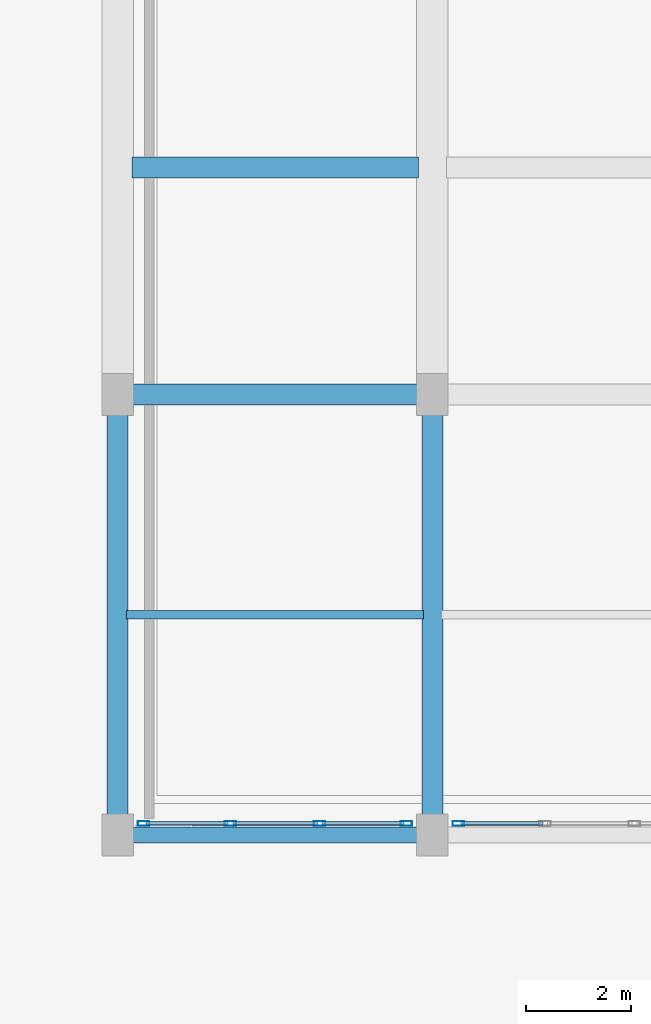
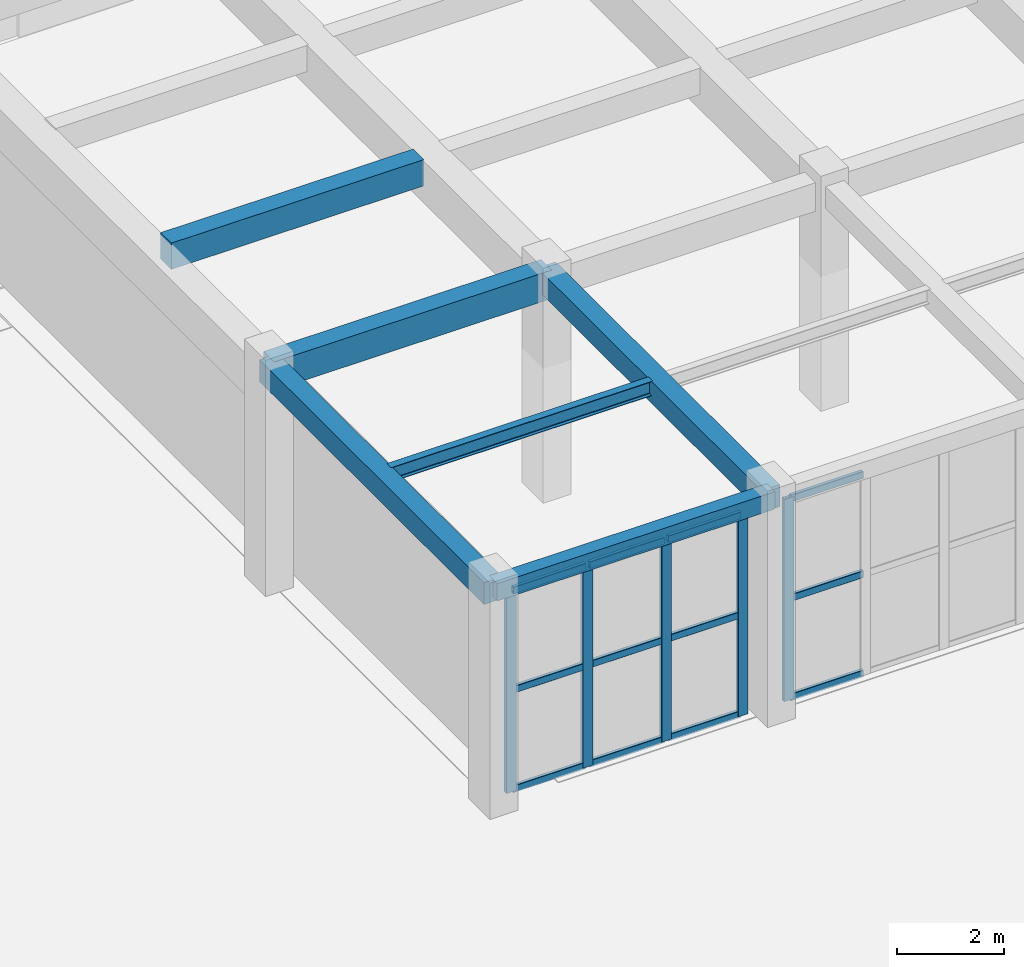
# One storey, part 25 of 98: 17 members, 6 beams, 2 elements without a shape of their own.
"""IFC4 building model written with IfcOpenShell, lengths in metres."""

from ifc_helpers import new_model, si_unit, direction, frame, origin, origin_2d, place, context, subcontext, project, spatial, rectangle, hollow_rectangle, i_section, extrude, material, layer, layer_set, material_profile, profile_set, type_object, element, aggregate, save


model = new_model("IFC4")

# Units and contexts
model_context = context("Model", 3, precision=1e-05, world=origin(), true_north=direction((0.0, 1.0)))
body_context = subcontext(model_context, "Body", "Model", "MODEL_VIEW")
ifc_project = project(units=[si_unit("LENGTHUNIT", "METRE"), si_unit("AREAUNIT", "SQUARE_METRE"), si_unit("VOLUMEUNIT", "CUBIC_METRE"), si_unit("PLANEANGLEUNIT", "RADIAN"), si_unit("MASSUNIT", "GRAM", prefix="KILO")], contexts=[model_context])

# Site, building, storey
site_placement = place(None, origin())
site = spatial("IfcSite", under=ifc_project, at=site_placement, CompositionType="ELEMENT")
building_placement = place(site_placement, origin())
building = spatial("IfcBuilding", under=site, at=building_placement, Name="Tarnavel Promenade Courthouse", CompositionType="ELEMENT")
storey_placement = place(building_placement, origin())
storey = spatial("IfcBuildingStorey", under=building, at=storey_placement, Name="L01", CompositionType="ELEMENT", Elevation=0.0)

# Beams
ifc_material_1 = material(Name="Concrete C40/50", Category="concrete")
ifc_material_profile_1 = material_profile(ifc_material_1, rectangle(XDim=0.39990234375, YDim=0.60009765625, at=origin_2d()), Name="PT 400x600")
ifc_profile_set_1 = profile_set([ifc_material_profile_1], Name="Concrete C40/50")
beam_type_1 = type_object("IfcBeamType", Name="Concrete C40/50 BM-PT-400x600 (PT 400x600)", PredefinedType="JOIST", material=ifc_profile_set_1)
beam_1_placement = place(storey_placement, frame((120.27001953125, 41.52001953125, 4.8349609375), z_axis=(1.0, 0.0, 0.0), x_axis=(0.0, 1.0, 0.0)))
element("IfcBeam", 1, at=beam_1_placement, inside=storey, type_object=beam_type_1, Name="L01 Secondary Floor Rib 1018", PredefinedType="JOIST", context=body_context, shape_type="SweptSolid", body=[
    extrude(rectangle(XDim=0.39990234375, YDim=0.60009765625, at=origin_2d()), origin(), (0.0, 0.0, 1.0), 5.4599609375),
])
ifc_material_profile_2 = material_profile(ifc_material_1, rectangle(XDim=0.39990234375, YDim=0.5, at=origin_2d()), Name="RC 400x500")
ifc_profile_set_2 = profile_set([ifc_material_profile_2], Name="Concrete C40/50")
beam_type_2 = type_object("IfcBeamType", Name="Concrete C40/50 BM-RC-400x500 (RC 400x500)", PredefinedType="BEAM", material=ifc_profile_set_2)
for number, where, z_axis, x_axis, name in (
    (2, (120.0, 28.800048828125, 4.885009765625), (0.0, 1.0, 0.0), (-1.0, 0.0, 0.0), "L01 Transverse Girder 0833"),
    (3, (126.0, 28.800048828125, 4.885009765625), (0.0, 1.0, 0.0), (-1.0, 0.0, 0.0), "L01 Transverse Girder 0841"),
):
    element("IfcBeam", number, at=place(storey_placement, frame(where, z_axis=z_axis, x_axis=x_axis)), inside=storey, type_object=beam_type_2, Name=name, PredefinedType="BEAM", context=body_context, shape_type="SweptSolid", body=[
        extrude(rectangle(XDim=0.39990234375, YDim=0.5, at=origin_2d()), origin(), (0.0, 0.0, 1.0), 8.39990234375),
    ])
ifc_material_profile_3 = material_profile(ifc_material_1, rectangle(XDim=0.39990234375, YDim=0.64990234375, at=origin_2d()), Name="RC 400x650")
ifc_profile_set_3 = profile_set([ifc_material_profile_3], Name="Concrete C40/50")
beam_type_3 = type_object("IfcBeamType", Name="Concrete C40/50 BM-RC-400x650 (RC 400x650)", PredefinedType="BEAM", material=ifc_profile_set_3)
beam_2_placement = place(storey_placement, frame((120.0, 37.199951171875, 4.81005859375), z_axis=(1.0, 0.0, 0.0), x_axis=(0.0, 1.0, 0.0)))
element("IfcBeam", 4, at=beam_2_placement, inside=storey, type_object=beam_type_3, Name="L01 Primary Longitudinal Beam 0609", PredefinedType="BEAM", context=body_context, shape_type="SweptSolid", body=[
    extrude(rectangle(XDim=0.39990234375, YDim=0.64990234375, at=origin_2d()), origin(), (0.0, 0.0, 1.0), 6.0),
])
ifc_material_profile_4 = material_profile(ifc_material_1, rectangle(XDim=0.300048828125, YDim=0.39990234375, at=origin_2d()), Name="RC 300x400")
ifc_profile_set_4 = profile_set([ifc_material_profile_4], Name="Concrete C40/50")
beam_type_4 = type_object("IfcBeamType", Name="Concrete C40/50 BM-SP-300x400 (RC 300x400)", PredefinedType="SPANDREL", material=ifc_profile_set_4)
beam_3_placement = place(storey_placement, frame((120.0, 28.800048828125, 4.93505859375), z_axis=(1.0, 0.0, 0.0), x_axis=(0.0, 1.0, 0.0)))
element("IfcBeam", 5, at=beam_3_placement, inside=storey, type_object=beam_type_4, Name="L01 Primary Longitudinal Beam 0591", PredefinedType="SPANDREL", context=body_context, shape_type="SweptSolid", body=[
    extrude(rectangle(XDim=0.300048828125, YDim=0.39990234375, at=origin_2d()), origin(), (0.0, 0.0, 1.0), 6.0),
])
ifc_material_2 = material(Name="Steel S355J2", Category="steel")
ifc_material_profile_5 = material_profile(ifc_material_2, i_section(OverallWidth=0.159912109375, OverallDepth=0.330078125, WebThickness=0.007568359375, FlangeThickness=0.011474609375, FilletRadius=0.01806640625, at=origin_2d()), Name="IPE 330")
ifc_profile_set_5 = profile_set([ifc_material_profile_5], Name="Steel S355J2")
beam_type_5 = type_object("IfcBeamType", Name="Steel S355J2 BM-ST-IPE330 (IPE 330)", PredefinedType="JOIST", material=ifc_profile_set_5)
beam_4_placement = place(storey_placement, frame((120.169921875, 33.0, 4.969970703125), z_axis=(1.0, 0.0, 0.0), x_axis=(0.0, 1.0, 0.0)))
element("IfcBeam", 6, at=beam_4_placement, inside=storey, type_object=beam_type_5, Name="L01 Secondary Floor Rib 0906", PredefinedType="JOIST", context=body_context, shape_type="SweptSolid", body=[
    extrude(i_section(OverallWidth=0.159912109375, OverallDepth=0.330078125, WebThickness=0.007568359375, FlangeThickness=0.011474609375, FilletRadius=0.01806640625, at=origin_2d()), origin(), (0.0, 0.0, 1.0), 5.66015625),
])

# Curtain wall, members
ifc_material_3 = material(Name="Thermally Broken Anodised Aluminium Curtain Wall System", Category="aluminium")
ifc_layer = layer(ifc_material_3, 0.199951171875)
ifc_layer_set = layer_set([ifc_layer], Name="Thermally Broken Anodised Aluminium Curtain Wall System")
curtain_wall_type = type_object("IfcCurtainWallType", Name="Thermally Broken Aluminium Triple-Glazed Curtain Wall CW-FOYER", PredefinedType="NOTDEFINED", material=ifc_layer_set)
curtain_wall_1_placement = place(storey_placement, origin())
curtain_wall_1 = element("IfcCurtainWall", 7, at=curtain_wall_1_placement, inside=storey, type_object=curtain_wall_type, Name="L01 Ceremonial Cloister Curtain Wall 158", PredefinedType="NOTDEFINED")
ifc_material_4 = material(Name="Thermally Broken Anodised Aluminium Frame", Category="aluminium")
ifc_material_profile_6 = material_profile(ifc_material_4, hollow_rectangle(XDim=0.090087890625, YDim=0.219970703125, WallThickness=0.0048828125, InnerFilletRadius=0.0048828125, OuterFilletRadius=0.010009765625, at=origin_2d()), Name="CWM 220x90x5")
ifc_profile_set_6 = profile_set([ifc_material_profile_6], Name="Thermally Broken Anodised Aluminium Frame")
member_type_1 = type_object("IfcMemberType", Name="Thermally Broken Anodised Aluminium CWM-175 (CWM 220x90x5)", PredefinedType="MULLION", material=ifc_profile_set_6)
member_1_placement = place(storey_placement, frame((120.4951171875, 29.02001953125, 0.0), z_axis=(0.0, 0.0, 1.0), x_axis=(0.0, 1.0, 0.0)))
member_1 = element("IfcMember", 8, at=member_1_placement, type_object=member_type_1, Name="CW-04 mullion 1", PredefinedType="MULLION", context=body_context, shape_type="SweptSolid", body=[
    extrude(hollow_rectangle(XDim=0.090087890625, YDim=0.219970703125, WallThickness=0.0048828125, InnerFilletRadius=0.0048828125, OuterFilletRadius=0.010009765625, at=origin_2d()), origin(), (0.0, 0.0, 1.0), 4.6201171875),
])
member_2_placement = place(storey_placement, frame((122.14990234375, 29.02001953125, 0.0), z_axis=(0.0, 0.0, 1.0), x_axis=(0.0, 1.0, 0.0)))
member_2 = element("IfcMember", 9, at=member_2_placement, type_object=member_type_1, Name="CW-04 mullion 2", PredefinedType="MULLION", context=body_context, shape_type="SweptSolid", body=[
    extrude(hollow_rectangle(XDim=0.090087890625, YDim=0.219970703125, WallThickness=0.0048828125, InnerFilletRadius=0.0048828125, OuterFilletRadius=0.010009765625, at=origin_2d()), origin(), (0.0, 0.0, 1.0), 4.6201171875),
])
member_3_placement = place(storey_placement, frame((123.85009765625, 29.02001953125, 0.0), z_axis=(0.0, 0.0, 1.0), x_axis=(0.0, 1.0, 0.0)))
member_3 = element("IfcMember", 10, at=member_3_placement, type_object=member_type_1, Name="CW-04 mullion 3", PredefinedType="MULLION", context=body_context, shape_type="SweptSolid", body=[
    extrude(hollow_rectangle(XDim=0.090087890625, YDim=0.219970703125, WallThickness=0.0048828125, InnerFilletRadius=0.0048828125, OuterFilletRadius=0.010009765625, at=origin_2d()), origin(), (0.0, 0.0, 1.0), 4.6201171875),
])
member_4_placement = place(storey_placement, frame((125.5048828125, 29.02001953125, 0.0), z_axis=(0.0, 0.0, 1.0), x_axis=(0.0, 1.0, 0.0)))
member_4 = element("IfcMember", 11, at=member_4_placement, type_object=member_type_1, Name="CW-04 mullion 4", PredefinedType="MULLION", context=body_context, shape_type="SweptSolid", body=[
    extrude(hollow_rectangle(XDim=0.090087890625, YDim=0.219970703125, WallThickness=0.0048828125, InnerFilletRadius=0.0048828125, OuterFilletRadius=0.010009765625, at=origin_2d()), origin(), (0.0, 0.0, 1.0), 4.6201171875),
])

# Curtain wall, member
curtain_wall_2_placement = place(storey_placement, origin())
curtain_wall_2 = element("IfcCurtainWall", 12, at=curtain_wall_2_placement, inside=storey, type_object=curtain_wall_type, Name="L01 Ceremonial Cloister Curtain Wall 159", PredefinedType="NOTDEFINED")
member_5_placement = place(storey_placement, frame((126.4951171875, 29.02001953125, 0.0), z_axis=(0.0, 0.0, 1.0), x_axis=(0.0, 1.0, 0.0)))
member_5 = element("IfcMember", 13, at=member_5_placement, type_object=member_type_1, Name="CW-04 mullion 1", PredefinedType="MULLION", context=body_context, shape_type="SweptSolid", body=[
    extrude(hollow_rectangle(XDim=0.090087890625, YDim=0.219970703125, WallThickness=0.0048828125, InnerFilletRadius=0.0048828125, OuterFilletRadius=0.010009765625, at=origin_2d()), origin(), (0.0, 0.0, 1.0), 4.6201171875),
])

# Member
ifc_material_profile_7 = material_profile(ifc_material_4, hollow_rectangle(XDim=0.080078125, YDim=0.159912109375, WallThickness=0.0048828125, InnerFilletRadius=0.0048828125, OuterFilletRadius=0.010009765625, at=origin_2d()), Name="CWT 160x80x5")
ifc_profile_set_7 = profile_set([ifc_material_profile_7], Name="Thermally Broken Anodised Aluminium Frame")
member_type_2 = type_object("IfcMemberType", Name="Thermally Broken Anodised Aluminium CWT-145 (CWT 160x80x5)", PredefinedType="USERDEFINED", material=ifc_profile_set_7)
member_6_placement = place(storey_placement, frame((120.5400390625, 29.02001953125, 0.0400390625), z_axis=(1.0, 0.0, 0.0), x_axis=(0.0, 1.0, 0.0)))
member_6 = element("IfcMember", 14, at=member_6_placement, type_object=member_type_2, Name="CW-04 transom 1.1", ObjectType="TRANSOM", PredefinedType="USERDEFINED", context=body_context, shape_type="SweptSolid", body=[
    extrude(hollow_rectangle(XDim=0.080078125, YDim=0.159912109375, WallThickness=0.0048828125, InnerFilletRadius=0.0048828125, OuterFilletRadius=0.010009765625, at=origin_2d()), origin(), (0.0, 0.0, 1.0), 1.56494140625),
])

member_7_placement = place(storey_placement, frame((120.5400390625, 29.02001953125, 2.31005859375), z_axis=(1.0, 0.0, 0.0), x_axis=(0.0, 1.0, 0.0)))
member_7 = element("IfcMember", 15, at=member_7_placement, type_object=member_type_2, Name="CW-04 transom 1.2", ObjectType="TRANSOM", PredefinedType="USERDEFINED", context=body_context, shape_type="SweptSolid", body=[
    extrude(hollow_rectangle(XDim=0.080078125, YDim=0.159912109375, WallThickness=0.0048828125, InnerFilletRadius=0.0048828125, OuterFilletRadius=0.010009765625, at=origin_2d()), origin(), (0.0, 0.0, 1.0), 1.56494140625),
])

member_8_placement = place(storey_placement, frame((120.5400390625, 29.02001953125, 4.580078125), z_axis=(1.0, 0.0, 0.0), x_axis=(0.0, 1.0, 0.0)))
member_8 = element("IfcMember", 16, at=member_8_placement, type_object=member_type_2, Name="CW-04 transom 1.3", ObjectType="TRANSOM", PredefinedType="USERDEFINED", context=body_context, shape_type="SweptSolid", body=[
    extrude(hollow_rectangle(XDim=0.080078125, YDim=0.159912109375, WallThickness=0.0048828125, InnerFilletRadius=0.0048828125, OuterFilletRadius=0.010009765625, at=origin_2d()), origin(), (0.0, 0.0, 1.0), 1.56494140625),
])

member_9_placement = place(storey_placement, frame((122.195068359375, 29.02001953125, 0.0400390625), z_axis=(1.0, 0.0, 0.0), x_axis=(0.0, 1.0, 0.0)))
member_9 = element("IfcMember", 17, at=member_9_placement, type_object=member_type_2, Name="CW-04 transom 2.1", ObjectType="TRANSOM", PredefinedType="USERDEFINED", context=body_context, shape_type="SweptSolid", body=[
    extrude(hollow_rectangle(XDim=0.080078125, YDim=0.159912109375, WallThickness=0.0048828125, InnerFilletRadius=0.0048828125, OuterFilletRadius=0.010009765625, at=origin_2d()), origin(), (0.0, 0.0, 1.0), 1.60986328125),
])

member_10_placement = place(storey_placement, frame((122.195068359375, 29.02001953125, 2.31005859375), z_axis=(1.0, 0.0, 0.0), x_axis=(0.0, 1.0, 0.0)))
member_10 = element("IfcMember", 18, at=member_10_placement, type_object=member_type_2, Name="CW-04 transom 2.2", ObjectType="TRANSOM", PredefinedType="USERDEFINED", context=body_context, shape_type="SweptSolid", body=[
    extrude(hollow_rectangle(XDim=0.080078125, YDim=0.159912109375, WallThickness=0.0048828125, InnerFilletRadius=0.0048828125, OuterFilletRadius=0.010009765625, at=origin_2d()), origin(), (0.0, 0.0, 1.0), 1.60986328125),
])

member_11_placement = place(storey_placement, frame((122.195068359375, 29.02001953125, 4.580078125), z_axis=(1.0, 0.0, 0.0), x_axis=(0.0, 1.0, 0.0)))
member_11 = element("IfcMember", 19, at=member_11_placement, type_object=member_type_2, Name="CW-04 transom 2.3", ObjectType="TRANSOM", PredefinedType="USERDEFINED", context=body_context, shape_type="SweptSolid", body=[
    extrude(hollow_rectangle(XDim=0.080078125, YDim=0.159912109375, WallThickness=0.0048828125, InnerFilletRadius=0.0048828125, OuterFilletRadius=0.010009765625, at=origin_2d()), origin(), (0.0, 0.0, 1.0), 1.60986328125),
])

member_12_placement = place(storey_placement, frame((123.89501953125, 29.02001953125, 0.0400390625), z_axis=(1.0, 0.0, 0.0), x_axis=(0.0, 1.0, 0.0)))
member_12 = element("IfcMember", 20, at=member_12_placement, type_object=member_type_2, Name="CW-04 transom 3.1", ObjectType="TRANSOM", PredefinedType="USERDEFINED", context=body_context, shape_type="SweptSolid", body=[
    extrude(hollow_rectangle(XDim=0.080078125, YDim=0.159912109375, WallThickness=0.0048828125, InnerFilletRadius=0.0048828125, OuterFilletRadius=0.010009765625, at=origin_2d()), origin(), (0.0, 0.0, 1.0), 1.56494140625),
])

member_13_placement = place(storey_placement, frame((123.89501953125, 29.02001953125, 2.31005859375), z_axis=(1.0, 0.0, 0.0), x_axis=(0.0, 1.0, 0.0)))
member_13 = element("IfcMember", 21, at=member_13_placement, type_object=member_type_2, Name="CW-04 transom 3.2", ObjectType="TRANSOM", PredefinedType="USERDEFINED", context=body_context, shape_type="SweptSolid", body=[
    extrude(hollow_rectangle(XDim=0.080078125, YDim=0.159912109375, WallThickness=0.0048828125, InnerFilletRadius=0.0048828125, OuterFilletRadius=0.010009765625, at=origin_2d()), origin(), (0.0, 0.0, 1.0), 1.56494140625),
])

member_14_placement = place(storey_placement, frame((123.89501953125, 29.02001953125, 4.580078125), z_axis=(1.0, 0.0, 0.0), x_axis=(0.0, 1.0, 0.0)))
member_14 = element("IfcMember", 22, at=member_14_placement, type_object=member_type_2, Name="CW-04 transom 3.3", ObjectType="TRANSOM", PredefinedType="USERDEFINED", context=body_context, shape_type="SweptSolid", body=[
    extrude(hollow_rectangle(XDim=0.080078125, YDim=0.159912109375, WallThickness=0.0048828125, InnerFilletRadius=0.0048828125, OuterFilletRadius=0.010009765625, at=origin_2d()), origin(), (0.0, 0.0, 1.0), 1.56494140625),
])

aggregate(curtain_wall_1, [member_1, member_2, member_3, member_4, member_6, member_7, member_8, member_9, member_10, member_11, member_12, member_13, member_14])

member_15_placement = place(storey_placement, frame((126.5400390625, 29.02001953125, 0.0400390625), z_axis=(1.0, 0.0, 0.0), x_axis=(0.0, 1.0, 0.0)))
member_15 = element("IfcMember", 23, at=member_15_placement, type_object=member_type_2, Name="CW-04 transom 1.1", ObjectType="TRANSOM", PredefinedType="USERDEFINED", context=body_context, shape_type="SweptSolid", body=[
    extrude(hollow_rectangle(XDim=0.080078125, YDim=0.159912109375, WallThickness=0.0048828125, InnerFilletRadius=0.0048828125, OuterFilletRadius=0.010009765625, at=origin_2d()), origin(), (0.0, 0.0, 1.0), 1.56494140625),
])

member_16_placement = place(storey_placement, frame((126.5400390625, 29.02001953125, 2.31005859375), z_axis=(1.0, 0.0, 0.0), x_axis=(0.0, 1.0, 0.0)))
member_16 = element("IfcMember", 24, at=member_16_placement, type_object=member_type_2, Name="CW-04 transom 1.2", ObjectType="TRANSOM", PredefinedType="USERDEFINED", context=body_context, shape_type="SweptSolid", body=[
    extrude(hollow_rectangle(XDim=0.080078125, YDim=0.159912109375, WallThickness=0.0048828125, InnerFilletRadius=0.0048828125, OuterFilletRadius=0.010009765625, at=origin_2d()), origin(), (0.0, 0.0, 1.0), 1.56494140625),
])

member_17_placement = place(storey_placement, frame((126.5400390625, 29.02001953125, 4.580078125), z_axis=(1.0, 0.0, 0.0), x_axis=(0.0, 1.0, 0.0)))
member_17 = element("IfcMember", 25, at=member_17_placement, type_object=member_type_2, Name="CW-04 transom 1.3", ObjectType="TRANSOM", PredefinedType="USERDEFINED", context=body_context, shape_type="SweptSolid", body=[
    extrude(hollow_rectangle(XDim=0.080078125, YDim=0.159912109375, WallThickness=0.0048828125, InnerFilletRadius=0.0048828125, OuterFilletRadius=0.010009765625, at=origin_2d()), origin(), (0.0, 0.0, 1.0), 1.56494140625),
])

aggregate(curtain_wall_2, [member_5, member_15, member_16, member_17])

save(model, "model.ifc")
